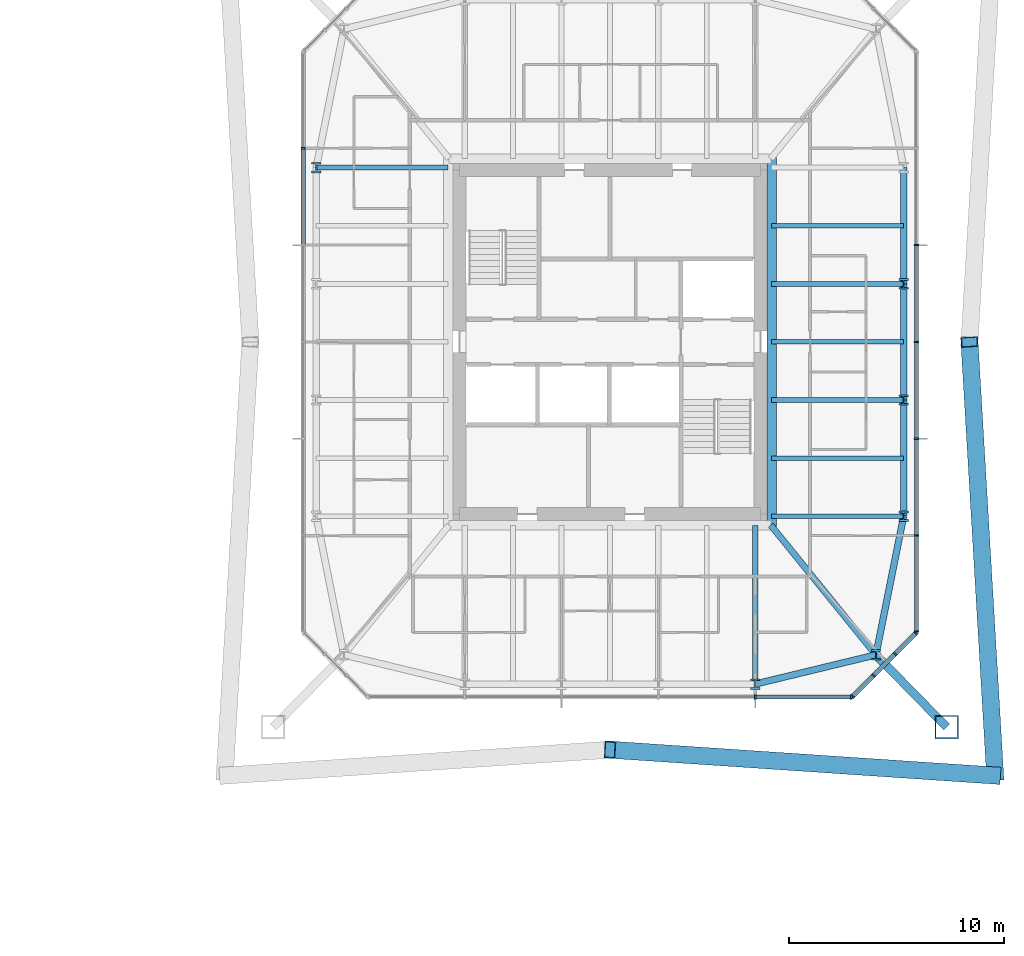
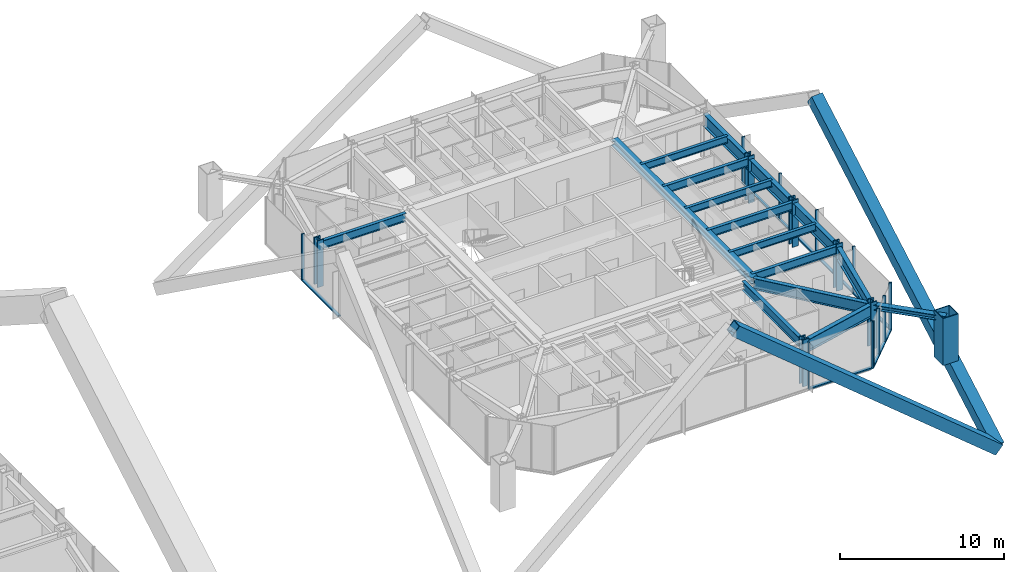
# One storey, part 8 of 21: 31 members, 15 beams, 4 elements without a shape of their own.
"""IFC4 building model written with IfcOpenShell, lengths in metres."""

from ifc_helpers import new_model, si_unit, direction, frame, origin, origin_2d, place, context, subcontext, project, spatial, rectangle, hollow_rectangle, i_section, extrude, material, material_profile, profile_set, type_object, element, aggregate, save


model = new_model("IFC4")

# Units and contexts
model_context = context("Model", 3, precision=1e-05, world=origin(), true_north=direction((0.0, 1.0)))
body_context = subcontext(model_context, "Body", "Model", "MODEL_VIEW")
ifc_project = project(units=[si_unit("LENGTHUNIT", "METRE"), si_unit("AREAUNIT", "SQUARE_METRE"), si_unit("VOLUMEUNIT", "CUBIC_METRE"), si_unit("PLANEANGLEUNIT", "RADIAN"), si_unit("MASSUNIT", "GRAM", prefix="KILO")], contexts=[model_context])

# Site, building, storey
site_placement = place(None, origin())
site = spatial("IfcSite", under=ifc_project, at=site_placement, CompositionType="ELEMENT")
building_placement = place(site_placement, origin())
building = spatial("IfcBuilding", under=site, at=building_placement, Name="Iwan Alto Co-Living Towers", CompositionType="ELEMENT")
storey_placement = place(building_placement, frame((0.0, 0.0, 80.5)))
storey = spatial("IfcBuildingStorey", under=building, at=storey_placement, Name="L21", CompositionType="ELEMENT", Elevation=80.5)

# Curtain wall, members
ifc_material_1 = material(Name="Bronze aluminium unitised frame", Category="aluminium")
curtain_wall_type_1 = type_object("IfcCurtainWallType", Name="CURTAIN WALL CW-C", PredefinedType="NOTDEFINED", material=ifc_material_1)
curtain_wall_1_placement = place(storey_placement, origin())
curtain_wall_1 = element("IfcCurtainWall", 1, at=curtain_wall_1_placement, inside=storey, type_object=curtain_wall_type_1, Name="T2 curtain wall S L21", PredefinedType="NOTDEFINED")
ifc_material_2 = material(Name="Aluminium 6063-T6 bronze anodised", Category="aluminium")
ifc_material_profile_1 = material_profile(ifc_material_2, rectangle(XDim=0.199951171875, YDim=0.080078125, at=origin_2d()), Name="AL 80X200")
ifc_profile_set_1 = profile_set([ifc_material_profile_1], Name="Aluminium 6063-T6 bronze anodised")
member_type_1 = type_object("IfcMemberType", Name="CW-C MULLION 80X200", PredefinedType="MULLION", material=ifc_profile_set_1)
member_1_placement = place(storey_placement, frame((69.75, -16.5, 0.0), z_axis=(0.0, 0.0, 1.0), x_axis=(0.0, 1.0, 0.0)))
member_1 = element("IfcMember", 2, at=member_1_placement, type_object=member_type_1, Name="CW-C mullion 5", PredefinedType="MULLION", context=body_context, shape_type="SweptSolid", body=[
    extrude(rectangle(XDim=0.199951171875, YDim=0.080078125, at=origin_2d()), origin(), (0.0, 0.0, 1.0), 3.5),
])
member_2_placement = place(storey_placement, frame((74.2099609375, -16.5, 0.0), z_axis=(0.0, 0.0, 1.0), x_axis=(0.0, 1.0, 0.0)))
member_2 = element("IfcMember", 3, at=member_2_placement, type_object=member_type_1, Name="CW-C mullion 6", PredefinedType="MULLION", context=body_context, shape_type="SweptSolid", body=[
    extrude(rectangle(XDim=0.199951171875, YDim=0.080078125, at=origin_2d()), origin(), (0.0, 0.0, 1.0), 3.5),
])

curtain_wall_2_placement = place(storey_placement, origin())
curtain_wall_2 = element("IfcCurtainWall", 4, at=curtain_wall_2_placement, inside=storey, type_object=curtain_wall_type_1, Name="T2 curtain wall E L21", PredefinedType="NOTDEFINED")
member_3_placement = place(storey_placement, frame((77.25, -13.4599609375, 0.0), z_axis=(0.0, 0.0, 1.0), x_axis=(-1.0, 0.0, 0.0)))
member_3 = element("IfcMember", 5, at=member_3_placement, type_object=member_type_1, Name="CW-C mullion 1", PredefinedType="MULLION", context=body_context, shape_type="SweptSolid", body=[
    extrude(rectangle(XDim=0.199951171875, YDim=0.080078125, at=origin_2d()), origin(), (0.0, 0.0, 1.0), 3.5),
])
member_4_placement = place(storey_placement, frame((77.25, -9.0, 0.0), z_axis=(0.0, 0.0, 1.0), x_axis=(-1.0, 0.0, 0.0)))
member_4 = element("IfcMember", 6, at=member_4_placement, type_object=member_type_1, Name="CW-C mullion 2", PredefinedType="MULLION", context=body_context, shape_type="SweptSolid", body=[
    extrude(rectangle(XDim=0.199951171875, YDim=0.080078125, at=origin_2d()), origin(), (0.0, 0.0, 1.0), 3.5),
])
member_5_placement = place(storey_placement, frame((77.25, -4.5, 0.0), z_axis=(0.0, 0.0, 1.0), x_axis=(-1.0, 0.0, 0.0)))
member_5 = element("IfcMember", 7, at=member_5_placement, type_object=member_type_1, Name="CW-C mullion 3", PredefinedType="MULLION", context=body_context, shape_type="SweptSolid", body=[
    extrude(rectangle(XDim=0.199951171875, YDim=0.080078125, at=origin_2d()), origin(), (0.0, 0.0, 1.0), 3.5),
])
member_6_placement = place(storey_placement, frame((77.25, 0.0, 0.0), z_axis=(0.0, 0.0, 1.0), x_axis=(-1.0, 0.0, 0.0)))
member_6 = element("IfcMember", 8, at=member_6_placement, type_object=member_type_1, Name="CW-C mullion 4", PredefinedType="MULLION", context=body_context, shape_type="SweptSolid", body=[
    extrude(rectangle(XDim=0.199951171875, YDim=0.080078125, at=origin_2d()), origin(), (0.0, 0.0, 1.0), 3.5),
])
member_7_placement = place(storey_placement, frame((77.25, 4.5, 0.0), z_axis=(0.0, 0.0, 1.0), x_axis=(-1.0, 0.0, 0.0)))
member_7 = element("IfcMember", 9, at=member_7_placement, type_object=member_type_1, Name="CW-C mullion 5", PredefinedType="MULLION", context=body_context, shape_type="SweptSolid", body=[
    extrude(rectangle(XDim=0.199951171875, YDim=0.080078125, at=origin_2d()), origin(), (0.0, 0.0, 1.0), 3.5),
])

# Curtain wall, member
curtain_wall_3_placement = place(storey_placement, origin())
curtain_wall_3 = element("IfcCurtainWall", 10, at=curtain_wall_3_placement, inside=storey, type_object=curtain_wall_type_1, Name="T2 curtain wall W L21", PredefinedType="NOTDEFINED")
member_8_placement = place(storey_placement, frame((48.75, 9.0, 0.0), z_axis=(0.0, 0.0, 1.0), x_axis=(1.0, 0.0, 0.0)))
member_8 = element("IfcMember", 11, at=member_8_placement, type_object=member_type_1, Name="CW-C mullion 2", PredefinedType="MULLION", context=body_context, shape_type="SweptSolid", body=[
    extrude(rectangle(XDim=0.199951171875, YDim=0.080078125, at=origin_2d()), origin(), (0.0, 0.0, 1.0), 3.5),
])

# Member
ifc_material_3 = material(Name="Aluminium 6063-T6 bronze anodised", Category="aluminium")
ifc_material_profile_2 = material_profile(ifc_material_3, rectangle(XDim=0.199951171875, YDim=0.10009765625, at=origin_2d()), Name="AL 200X100")
ifc_profile_set_2 = profile_set([ifc_material_profile_2], Name="Aluminium 6063-T6 bronze anodised")
member_type_2 = type_object("IfcMemberType", Name="CW-C TRANSOM 200X100", PredefinedType="USERDEFINED", material=ifc_profile_set_2)
member_9_placement = place(storey_placement, frame((69.7900390625, -16.5, 0.050048828125), z_axis=(1.0, 0.0, 0.0), x_axis=(0.0, 1.0, 0.0)))
member_9 = element("IfcMember", 12, at=member_9_placement, type_object=member_type_2, Name="CW-C transom 5.1", ObjectType="TRANSOM", PredefinedType="USERDEFINED", context=body_context, shape_type="SweptSolid", body=[
    extrude(rectangle(XDim=0.199951171875, YDim=0.10009765625, at=origin_2d()), origin(), (0.0, 0.0, 1.0), 4.3798828125),
])

aggregate(curtain_wall_1, [member_1, member_2, member_9])

member_10_placement = place(storey_placement, frame((77.25, -13.419921875, 0.050048828125), z_axis=(0.0, 1.0, 0.0), x_axis=(-1.0, 0.0, 0.0)))
member_10 = element("IfcMember", 13, at=member_10_placement, type_object=member_type_2, Name="CW-C transom 1.1", ObjectType="TRANSOM", PredefinedType="USERDEFINED", context=body_context, shape_type="SweptSolid", body=[
    extrude(rectangle(XDim=0.199951171875, YDim=0.10009765625, at=origin_2d()), origin(), (0.0, 0.0, 1.0), 4.3798828125),
])

member_11_placement = place(storey_placement, frame((77.25, -8.9599609375, 0.050048828125), z_axis=(0.0, 1.0, 0.0), x_axis=(-1.0, 0.0, 0.0)))
member_11 = element("IfcMember", 14, at=member_11_placement, type_object=member_type_2, Name="CW-C transom 2.1", ObjectType="TRANSOM", PredefinedType="USERDEFINED", context=body_context, shape_type="SweptSolid", body=[
    extrude(rectangle(XDim=0.199951171875, YDim=0.10009765625, at=origin_2d()), origin(), (0.0, 0.0, 1.0), 4.419921875),
])

member_12_placement = place(storey_placement, frame((77.25, -4.4599609375, 0.050048828125), z_axis=(0.0, 1.0, 0.0), x_axis=(-1.0, 0.0, 0.0)))
member_12 = element("IfcMember", 15, at=member_12_placement, type_object=member_type_2, Name="CW-C transom 3.1", ObjectType="TRANSOM", PredefinedType="USERDEFINED", context=body_context, shape_type="SweptSolid", body=[
    extrude(rectangle(XDim=0.199951171875, YDim=0.10009765625, at=origin_2d()), origin(), (0.0, 0.0, 1.0), 4.419921875),
])

member_13_placement = place(storey_placement, frame((77.25, 0.0400390625, 0.050048828125), z_axis=(0.0, 1.0, 0.0), x_axis=(-1.0, 0.0, 0.0)))
member_13 = element("IfcMember", 16, at=member_13_placement, type_object=member_type_2, Name="CW-C transom 4.1", ObjectType="TRANSOM", PredefinedType="USERDEFINED", context=body_context, shape_type="SweptSolid", body=[
    extrude(rectangle(XDim=0.199951171875, YDim=0.10009765625, at=origin_2d()), origin(), (0.0, 0.0, 1.0), 4.419921875),
])

aggregate(curtain_wall_2, [member_3, member_4, member_5, member_6, member_7, member_10, member_11, member_12, member_13])

member_14_placement = place(storey_placement, frame((48.75, 8.9599609375, 0.050048828125), z_axis=(0.0, -1.0, 0.0), x_axis=(1.0, 0.0, 0.0)))
member_14 = element("IfcMember", 17, at=member_14_placement, type_object=member_type_2, Name="CW-C transom 2.1", ObjectType="TRANSOM", PredefinedType="USERDEFINED", context=body_context, shape_type="SweptSolid", body=[
    extrude(rectangle(XDim=0.199951171875, YDim=0.10009765625, at=origin_2d()), origin(), (0.0, 0.0, 1.0), 4.419921875),
])

aggregate(curtain_wall_3, [member_8, member_14])

# Curtain wall, members
ifc_material_4 = material(Name="Bronze aluminium unitised frame", Category="aluminium")
curtain_wall_type_2 = type_object("IfcCurtainWallType", Name="CURTAIN WALL CW-D", PredefinedType="NOTDEFINED", material=ifc_material_4)
curtain_wall_4_placement = place(storey_placement, origin())
curtain_wall_4 = element("IfcCurtainWall", 18, at=curtain_wall_4_placement, inside=storey, type_object=curtain_wall_type_2, Name="T2 chamfer curtain wall SE L21", PredefinedType="NOTDEFINED")
ifc_material_5 = material(Name="Aluminium 6063-T6 bronze anodised", Category="aluminium")
ifc_material_profile_3 = material_profile(ifc_material_5, rectangle(XDim=0.199951171875, YDim=0.080078125, at=origin_2d()), Name="AL 80X200")
ifc_profile_set_3 = profile_set([ifc_material_profile_3], Name="Aluminium 6063-T6 bronze anodised")
member_type_3 = type_object("IfcMemberType", Name="CW-D MULLION 80X200", PredefinedType="MULLION", material=ifc_profile_set_3)
member_15_placement = place(storey_placement, frame((74.2783203125, -16.4716796875, 0.0), z_axis=(0.0, 0.0, 1.0), x_axis=(-0.707106781187, 0.707106781187, 0.0)))
member_15 = element("IfcMember", 19, at=member_15_placement, type_object=member_type_3, Name="CW-D mullion 1", PredefinedType="MULLION", context=body_context, shape_type="SweptSolid", body=[
    extrude(rectangle(XDim=0.199951171875, YDim=0.080078125, at=origin_2d()), origin(), (0.0, 0.0, 1.0), 3.5),
])
member_16_placement = place(storey_placement, frame((75.25, -15.5, 0.0), z_axis=(0.0, 0.0, 1.0), x_axis=(-0.707106781187, 0.707106781187, 0.0)))
member_16 = element("IfcMember", 20, at=member_16_placement, type_object=member_type_3, Name="CW-D mullion 2", PredefinedType="MULLION", context=body_context, shape_type="SweptSolid", body=[
    extrude(rectangle(XDim=0.199951171875, YDim=0.080078125, at=origin_2d()), origin(), (0.0, 0.0, 1.0), 3.5),
])
member_17_placement = place(storey_placement, frame((76.25, -14.5, 0.0), z_axis=(0.0, 0.0, 1.0), x_axis=(-0.707106781187, 0.707106781187, 0.0)))
member_17 = element("IfcMember", 21, at=member_17_placement, type_object=member_type_3, Name="CW-D mullion 3", PredefinedType="MULLION", context=body_context, shape_type="SweptSolid", body=[
    extrude(rectangle(XDim=0.199951171875, YDim=0.080078125, at=origin_2d()), origin(), (0.0, 0.0, 1.0), 3.5),
])
member_18_placement = place(storey_placement, frame((77.2216796875, -13.5283203125, 0.0), z_axis=(0.0, 0.0, 1.0), x_axis=(-0.707106781187, 0.707106781187, 0.0)))
member_18 = element("IfcMember", 22, at=member_18_placement, type_object=member_type_3, Name="CW-D mullion 4", PredefinedType="MULLION", context=body_context, shape_type="SweptSolid", body=[
    extrude(rectangle(XDim=0.199951171875, YDim=0.080078125, at=origin_2d()), origin(), (0.0, 0.0, 1.0), 3.5),
])
ifc_material_6 = material(Name="Aluminium 6063-T6 bronze anodised", Category="aluminium")
ifc_material_profile_4 = material_profile(ifc_material_6, rectangle(XDim=0.199951171875, YDim=0.10009765625, at=origin_2d()), Name="AL 200X100")
ifc_profile_set_4 = profile_set([ifc_material_profile_4], Name="Aluminium 6063-T6 bronze anodised")
member_type_4 = type_object("IfcMemberType", Name="CW-D TRANSOM 200X100", PredefinedType="USERDEFINED", material=ifc_profile_set_4)
member_19_placement = place(storey_placement, frame((74.306640625, -16.443359375, 0.050048828125), z_axis=(0.707106781187, 0.707106781187, 0.0), x_axis=(-0.707106781187, 0.707106781187, 0.0)))
member_19 = element("IfcMember", 23, at=member_19_placement, type_object=member_type_4, Name="CW-D transom 1.1", ObjectType="TRANSOM", PredefinedType="USERDEFINED", context=body_context, shape_type="SweptSolid", body=[
    extrude(rectangle(XDim=0.199951171875, YDim=0.10009765625, at=origin_2d()), origin(), (0.0, 0.0, 1.0), 1.2939453125),
])
member_20_placement = place(storey_placement, frame((75.2783203125, -15.4716796875, 0.050048828125), z_axis=(0.707106781187, 0.707106781187, 0.0), x_axis=(-0.707106781187, 0.707106781187, 0.0)))
member_20 = element("IfcMember", 24, at=member_20_placement, type_object=member_type_4, Name="CW-D transom 2.1", ObjectType="TRANSOM", PredefinedType="USERDEFINED", context=body_context, shape_type="SweptSolid", body=[
    extrude(rectangle(XDim=0.199951171875, YDim=0.10009765625, at=origin_2d()), origin(), (0.0, 0.0, 1.0), 1.334228515625),
])
member_21_placement = place(storey_placement, frame((76.2783203125, -14.4716796875, 0.050048828125), z_axis=(0.707106781187, 0.707106781187, 0.0), x_axis=(-0.707106781187, 0.707106781187, 0.0)))
member_21 = element("IfcMember", 25, at=member_21_placement, type_object=member_type_4, Name="CW-D transom 3.1", ObjectType="TRANSOM", PredefinedType="USERDEFINED", context=body_context, shape_type="SweptSolid", body=[
    extrude(rectangle(XDim=0.199951171875, YDim=0.10009765625, at=origin_2d()), origin(), (0.0, 0.0, 1.0), 1.2939453125),
])
aggregate(curtain_wall_4, [member_15, member_16, member_17, member_18, member_19, member_20, member_21])

# Beams
ifc_material_7 = material(Name="Steel ASTM A992 Gr 50", Category="steel")
ifc_material_profile_5 = material_profile(ifc_material_7, i_section(OverallWidth=0.436767578125, OverallDepth=0.51318359375, WebThickness=0.060546875, FlangeThickness=0.096923828125, at=origin_2d()), Name="W14X550")
ifc_profile_set_5 = profile_set([ifc_material_profile_5], Name="Steel ASTM A992 Gr 50")
beam_type_1 = type_object("IfcBeamType", Name="T2 CORE LEDGER BEAM W14X550", PredefinedType="BEAM", material=ifc_profile_set_5)
beam_1_placement = place(storey_placement, frame((70.5185546875, -8.5693359375, 3.013427734375), z_axis=(0.0, 1.0, 0.0), x_axis=(-1.0, 0.0, 0.0)))
element("IfcBeam", 26, at=beam_1_placement, inside=storey, type_object=beam_type_1, Name="T2 core ledger beam E L22", PredefinedType="BEAM", context=body_context, shape_type="SweptSolid", body=[
    extrude(i_section(OverallWidth=0.436767578125, OverallDepth=0.51318359375, WebThickness=0.060546875, FlangeThickness=0.096923828125, at=origin_2d()), origin(), (0.0, 0.0, 1.0), 17.138671875),
])
ifc_material_8 = material(Name="Steel ASTM A992 Gr 50", Category="steel")
ifc_material_profile_6 = material_profile(ifc_material_8, i_section(OverallWidth=0.2919921875, OverallDepth=0.8408203125, WebThickness=0.0146484375, FlangeThickness=0.021728515625, at=origin_2d()), Name="W33X130")
ifc_profile_set_6 = profile_set([ifc_material_profile_6], Name="Steel ASTM A992 Gr 50")
beam_type_2 = type_object("IfcBeamType", Name="T2 CORNER GIRDER W33X130", PredefinedType="BEAM", material=ifc_profile_set_6)
beam_2_placement = place(storey_placement, frame((75.361328125, -14.542724609375, 2.849609375), z_axis=(-0.629787584927, 0.776767402683, 0.0), x_axis=(-0.776767402683, -0.629787584927, 0.0)))
element("IfcBeam", 27, at=beam_2_placement, inside=storey, type_object=beam_type_2, Name="T2 corner girder CSE L22", PredefinedType="BEAM", context=body_context, shape_type="SweptSolid", body=[
    extrude(i_section(OverallWidth=0.2919921875, OverallDepth=0.8408203125, WebThickness=0.0146484375, FlangeThickness=0.021728515625, at=origin_2d()), origin(), (0.0, 0.0, 1.0), 7.75537109375),
])
ifc_material_9 = material(Name="Steel ASTM A992 Gr 50", Category="steel")
ifc_material_profile_7 = material_profile(ifc_material_9, i_section(OverallWidth=0.307373046875, OverallDepth=0.927001953125, WebThickness=0.01953125, FlangeThickness=0.031982421875, at=origin_2d()), Name="W36X194")
ifc_profile_set_7 = profile_set([ifc_material_profile_7], Name="Steel ASTM A992 Gr 50")
beam_type_3 = type_object("IfcBeamType", Name="T2 EDGE BEAM W36X194", PredefinedType="BEAM", material=ifc_profile_set_7)
beam_3_placement = place(storey_placement, frame((69.75, -15.89990234375, 2.806396484375), z_axis=(0.971974673138, 0.235085590323, 0.0), x_axis=(-0.235085590323, 0.971974673138, 0.0)))
element("IfcBeam", 28, at=beam_3_placement, inside=storey, type_object=beam_type_3, Name="T2 edge beam S4 L22", PredefinedType="BEAM", context=body_context, shape_type="SweptSolid", body=[
    extrude(i_section(OverallWidth=0.307373046875, OverallDepth=0.927001953125, WebThickness=0.01953125, FlangeThickness=0.031982421875, at=origin_2d()), origin(), (0.0, 0.0, 1.0), 5.773193359375),
])
beam_4_placement = place(storey_placement, frame((75.361328125, -14.542724609375, 2.806396484375), z_axis=(0.196123281025, 0.980579246487, 0.0), x_axis=(-0.980579246487, 0.196123281025, 0.0)))
element("IfcBeam", 29, at=beam_4_placement, inside=storey, type_object=beam_type_3, Name="T2 edge beam CSE L22", PredefinedType="BEAM", context=body_context, shape_type="SweptSolid", body=[
    extrude(i_section(OverallWidth=0.307373046875, OverallDepth=0.927001953125, WebThickness=0.01953125, FlangeThickness=0.031982421875, at=origin_2d()), origin(), (0.0, 0.0, 1.0), 6.5703125),
])
beam_5_placement = place(storey_placement, frame((76.64990234375, -8.10009765625, 2.806396484375), z_axis=(0.0, 1.0, 0.0), x_axis=(-1.0, 0.0, 0.0)))
element("IfcBeam", 30, at=beam_5_placement, inside=storey, type_object=beam_type_3, Name="T2 edge beam E1 L22", PredefinedType="BEAM", context=body_context, shape_type="SweptSolid", body=[
    extrude(i_section(OverallWidth=0.307373046875, OverallDepth=0.927001953125, WebThickness=0.01953125, FlangeThickness=0.031982421875, at=origin_2d()), origin(), (0.0, 0.0, 1.0), 5.400146484375),
])
beam_6_placement = place(storey_placement, frame((76.64990234375, -2.699951171875, 2.806396484375), z_axis=(0.0, 1.0, 0.0), x_axis=(-1.0, 0.0, 0.0)))
element("IfcBeam", 31, at=beam_6_placement, inside=storey, type_object=beam_type_3, Name="T2 edge beam E2 L22", PredefinedType="BEAM", context=body_context, shape_type="SweptSolid", body=[
    extrude(i_section(OverallWidth=0.307373046875, OverallDepth=0.927001953125, WebThickness=0.01953125, FlangeThickness=0.031982421875, at=origin_2d()), origin(), (0.0, 0.0, 1.0), 5.39990234375),
])
beam_7_placement = place(storey_placement, frame((76.64990234375, 2.699951171875, 2.806396484375), z_axis=(0.0, 1.0, 0.0), x_axis=(-1.0, 0.0, 0.0)))
element("IfcBeam", 32, at=beam_7_placement, inside=storey, type_object=beam_type_3, Name="T2 edge beam E3 L22", PredefinedType="BEAM", context=body_context, shape_type="SweptSolid", body=[
    extrude(i_section(OverallWidth=0.307373046875, OverallDepth=0.927001953125, WebThickness=0.01953125, FlangeThickness=0.031982421875, at=origin_2d()), origin(), (0.0, 0.0, 1.0), 5.400146484375),
])

# Members
ifc_material_10 = material(Name="Steel ASTM A572 Gr 50", Category="steel")
ifc_material_profile_8 = material_profile(ifc_material_10, hollow_rectangle(XDim=0.800048828125, YDim=0.800048828125, WallThickness=0.050048828125, at=origin_2d()), Name="BOX 800X800X50")
ifc_profile_set_8 = profile_set([ifc_material_profile_8], Name="Steel ASTM A572 Gr 50")
member_type_5 = type_object("IfcMemberType", Name="T2 MEGA BRACE BOX 800X800X50", PredefinedType="BRACE", material=ifc_profile_set_8)
member_22_placement = place(storey_placement, frame((80.89990234375, -20.14990234375, -6.0), z_axis=(-0.777992341142, 0.052175295854, 0.626103550243), x_axis=(-0.066913716291, -0.99775876572, 0.0)))
element("IfcMember", 33, at=member_22_placement, inside=storey, type_object=member_type_5, Name="T2 mega brace Z2A S 2 lower", PredefinedType="BRACE", context=body_context, shape_type="SweptSolid", body=[
    extrude(hollow_rectangle(XDim=0.800048828125, YDim=0.800048828125, WallThickness=0.050048828125, at=origin_2d()), origin(), (0.0, 0.0, 1.0), 23.0078125),
])
member_23_placement = place(storey_placement, frame((80.89990234375, -20.14990234375, -6.0), z_axis=(-0.04816444441, 0.814591035855, 0.578032551505), x_axis=(-0.998256560204, -0.059024062978, 0.0)))
element("IfcMember", 34, at=member_23_placement, inside=storey, type_object=member_type_5, Name="T2 mega brace Z2A E 1 lower", PredefinedType="BRACE", context=body_context, shape_type="SweptSolid", body=[
    extrude(hollow_rectangle(XDim=0.800048828125, YDim=0.800048828125, WallThickness=0.050048828125, at=origin_2d()), origin(), (0.0, 0.0, 1.0), 24.736328125),
])
ifc_material_11 = material(Name="Steel ASTM A992 Gr 50", Category="steel")
ifc_material_profile_9 = material_profile(ifc_material_11, i_section(OverallWidth=0.393798828125, OverallDepth=0.3759765625, WebThickness=0.017333984375, FlangeThickness=0.027587890625, at=origin_2d()), Name="W14X145")
ifc_profile_set_9 = profile_set([ifc_material_profile_9], Name="Steel ASTM A992 Gr 50")
member_type_6 = type_object("IfcMemberType", Name="T2 MEGA COLUMN FLOOR TIE W14X145", PredefinedType="STRUT", material=ifc_profile_set_9)
member_24_placement = place(storey_placement, frame((78.64990234375, -17.89990234375, 3.08203125), z_axis=(-0.699770096147, 0.714368121166, 0.0), x_axis=(-0.714368121166, -0.699770096147, 0.0)))
element("IfcMember", 35, at=member_24_placement, inside=storey, type_object=member_type_6, Name="T2 mega column floor tie SE L22", PredefinedType="STRUT", context=body_context, shape_type="SweptSolid", body=[
    extrude(i_section(OverallWidth=0.393798828125, OverallDepth=0.3759765625, WebThickness=0.017333984375, FlangeThickness=0.027587890625, at=origin_2d()), origin(), (0.0, 0.0, 1.0), 4.699462890625),
])
ifc_material_12 = material(Name="Steel ASTM A572 Gr 50", Category="steel")
ifc_material_profile_10 = material_profile(ifc_material_12, hollow_rectangle(XDim=1.10009765625, YDim=1.10009765625, WallThickness=0.06005859375, at=origin_2d()), Name="BOX 1100X1100X60")
ifc_profile_set_10 = profile_set([ifc_material_profile_10], Name="Steel ASTM A572 Gr 50")
member_type_7 = type_object("IfcMemberType", Name="T2 MEGA POST AT STEP BOX 1100X1100X60", PredefinedType="MEMBER", material=ifc_profile_set_10)
member_25_placement = place(storey_placement, frame((78.64990234375, -17.89990234375, 0.0), z_axis=(0.0, 0.0, 1.0), x_axis=(1.0, 0.0, 0.0)))
element("IfcMember", 36, at=member_25_placement, inside=storey, type_object=member_type_7, Name="T2 mega post at step SE L21", PredefinedType="MEMBER", context=body_context, shape_type="SweptSolid", body=[
    extrude(hollow_rectangle(XDim=1.10009765625, YDim=1.10009765625, WallThickness=0.06005859375, at=origin_2d()), origin(), (0.0, 0.0, 1.0), 3.5),
])

# Beams
ifc_material_13 = material(Name="Steel ASTM A992 Gr 50", Category="steel")
ifc_material_profile_11 = material_profile(ifc_material_13, i_section(OverallWidth=0.228271484375, OverallDepth=0.607177734375, WebThickness=0.01123046875, FlangeThickness=0.017333984375, at=origin_2d()), Name="W24X76")
ifc_profile_set_11 = profile_set([ifc_material_profile_11], Name="Steel ASTM A992 Gr 50")
beam_type_4 = type_object("IfcBeamType", Name="T2 RADIAL BEAM W24X76", PredefinedType="BEAM", material=ifc_profile_set_11)
for number, where, z_axis, x_axis, name in (
    (37, (76.64990234375, -8.10009765625, 2.966552734375), (-1.0, 0.0, 0.0), (0.0, -1.0, 0.0), "T2 radial beam E1 L22"),
    (38, (76.64990234375, -2.699951171875, 2.966552734375), (-1.0, 0.0, 0.0), (0.0, -1.0, 0.0), "T2 radial beam E2 L22"),
    (39, (76.64990234375, 2.699951171875, 2.966552734375), (-1.0, 0.0, 0.0), (0.0, -1.0, 0.0), "T2 radial beam E3 L22"),
    (40, (49.35009765625, 8.10009765625, 2.966552734375), (1.0, 0.0, 0.0), (0.0, 1.0, 0.0), "T2 radial beam W1 L22"),
):
    element("IfcBeam", number, at=place(storey_placement, frame(where, z_axis=z_axis, x_axis=x_axis)), inside=storey, type_object=beam_type_4, Name=name, PredefinedType="BEAM", context=body_context, shape_type="SweptSolid", body=[
        extrude(i_section(OverallWidth=0.228271484375, OverallDepth=0.607177734375, WebThickness=0.01123046875, FlangeThickness=0.017333984375, at=origin_2d()), origin(), (0.0, 0.0, 1.0), 6.13134765625),
    ])
ifc_material_14 = material(Name="Steel ASTM A992 Gr 50", Category="steel")
ifc_material_profile_12 = material_profile(ifc_material_14, i_section(OverallWidth=0.25390625, OverallDepth=0.683349609375, WebThickness=0.012451171875, FlangeThickness=0.018798828125, at=origin_2d()), Name="W27X94")
ifc_profile_set_12 = profile_set([ifc_material_profile_12], Name="Steel ASTM A992 Gr 50")
beam_type_5 = type_object("IfcBeamType", Name="T2 RADIAL BEAM W27X94", PredefinedType="BEAM", material=ifc_profile_set_12)
beam_8_placement = place(storey_placement, frame((69.75, -15.89990234375, 2.928466796875), z_axis=(0.0, 1.0, 0.0), x_axis=(-1.0, 0.0, 0.0)))
element("IfcBeam", 41, at=beam_8_placement, inside=storey, type_object=beam_type_5, Name="T2 radial beam S4 L22", PredefinedType="BEAM", context=body_context, shape_type="SweptSolid", body=[
    extrude(i_section(OverallWidth=0.25390625, OverallDepth=0.683349609375, WebThickness=0.012451171875, FlangeThickness=0.018798828125, at=origin_2d()), origin(), (0.0, 0.0, 1.0), 7.38134765625),
])

# Members
ifc_material_15 = material(Name="Steel ASTM A992 Gr 50", Category="steel")
ifc_material_profile_13 = material_profile(ifc_material_15, i_section(OverallWidth=0.4267578125, OverallDepth=0.482666015625, WebThickness=0.05126953125, FlangeThickness=0.08154296875, at=origin_2d()), Name="W14X455")
ifc_profile_set_13 = profile_set([ifc_material_profile_13], Name="Steel ASTM A992 Gr 50")
member_type_8 = type_object("IfcMemberType", Name="T2 RING POST AT STEP W14X455", PredefinedType="MEMBER", material=ifc_profile_set_13)
for number, where, z_axis, x_axis, name in (
    (42, (69.75, -15.89990234375, 0.0), (0.0, 0.0, 1.0), (1.0, 0.0, 0.0), "T2 ring post at step S4 L21"),
    (43, (75.361328125, -14.542724609375, 0.0), (0.0, 0.0, 1.0), (1.0, 0.0, 0.0), "T2 ring post at step CSE L21"),
    (44, (76.64990234375, -8.10009765625, 0.0), (0.0, 0.0, 1.0), (1.0, 0.0, 0.0), "T2 ring post at step E1 L21"),
    (45, (76.64990234375, -2.699951171875, 0.0), (0.0, 0.0, 1.0), (1.0, 0.0, 0.0), "T2 ring post at step E2 L21"),
    (46, (76.64990234375, 2.699951171875, 0.0), (0.0, 0.0, 1.0), (1.0, 0.0, 0.0), "T2 ring post at step E3 L21"),
    (47, (49.35009765625, 8.10009765625, 0.0), (0.0, 0.0, 1.0), (1.0, 0.0, 0.0), "T2 ring post at step W1 L21"),
):
    element("IfcMember", number, at=place(storey_placement, frame(where, z_axis=z_axis, x_axis=x_axis)), inside=storey, type_object=member_type_8, Name=name, PredefinedType="MEMBER", context=body_context, shape_type="SweptSolid", body=[
        extrude(i_section(OverallWidth=0.4267578125, OverallDepth=0.482666015625, WebThickness=0.05126953125, FlangeThickness=0.08154296875, at=origin_2d()), origin(), (0.0, 0.0, 1.0), 3.5),
    ])

# Beams
ifc_material_16 = material(Name="Steel ASTM A992 Gr 50", Category="steel")
ifc_material_profile_14 = material_profile(ifc_material_16, i_section(OverallWidth=0.209228515625, OverallDepth=0.533447265625, WebThickness=0.01025390625, FlangeThickness=0.015625, at=origin_2d()), Name="W21X62")
ifc_profile_set_14 = profile_set([ifc_material_profile_14], Name="Steel ASTM A992 Gr 50")
beam_type_6 = type_object("IfcBeamType", Name="T2 SECONDARY BEAM W21X62", PredefinedType="JOIST", material=ifc_profile_set_14)
for number, where, z_axis, x_axis, name in (
    (48, (76.64990234375, -5.39990234375, 3.00341796875), (-1.0, 0.0, 0.0), (0.0, -1.0, 0.0), "T2 secondary beam E1 L22"),
    (49, (76.64990234375, 0.0, 3.00341796875), (-1.0, 0.0, 0.0), (0.0, -1.0, 0.0), "T2 secondary beam E2 L22"),
    (50, (76.64990234375, 5.39990234375, 3.00341796875), (-1.0, 0.0, 0.0), (0.0, -1.0, 0.0), "T2 secondary beam E3 L22"),
):
    element("IfcBeam", number, at=place(storey_placement, frame(where, z_axis=z_axis, x_axis=x_axis)), inside=storey, type_object=beam_type_6, Name=name, PredefinedType="JOIST", context=body_context, shape_type="SweptSolid", body=[
        extrude(i_section(OverallWidth=0.209228515625, OverallDepth=0.533447265625, WebThickness=0.01025390625, FlangeThickness=0.015625, at=origin_2d()), origin(), (0.0, 0.0, 1.0), 6.13134765625),
    ])

save(model, "model.ifc")
